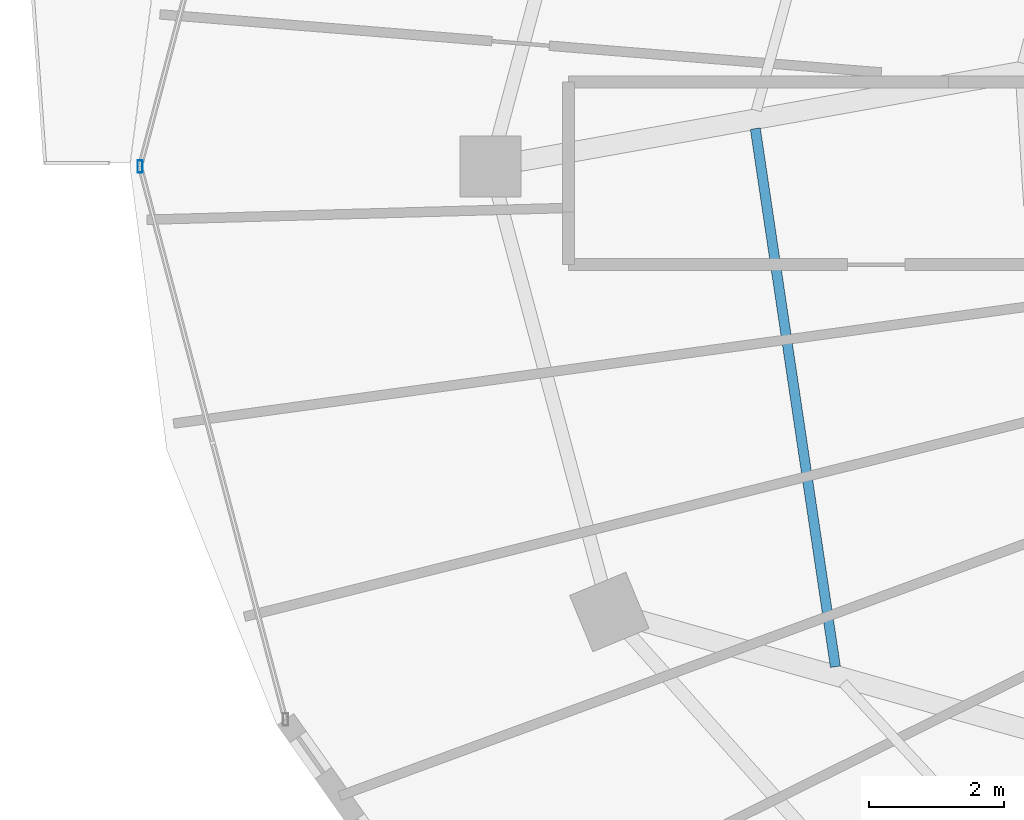
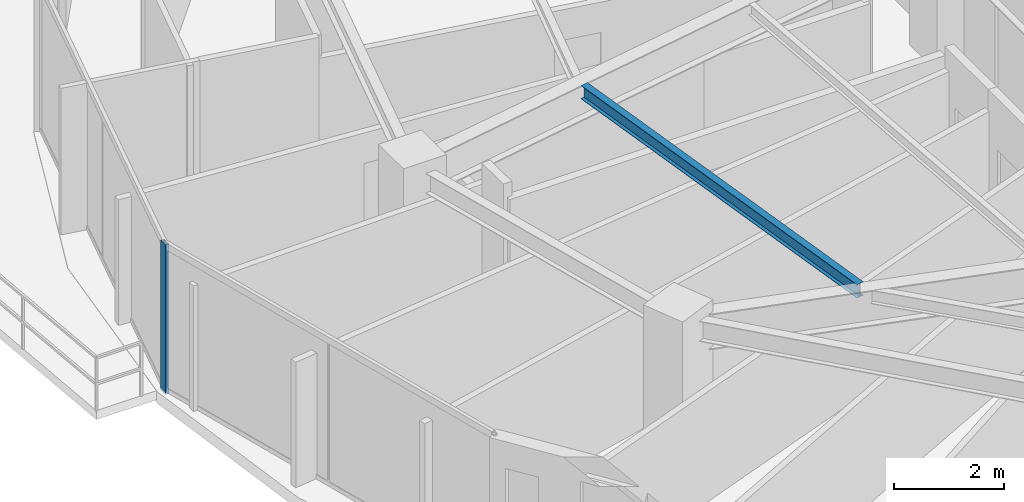
# One storey, part 7 of 31: 1 beam, 1 member, 1 element without a shape of its own.
"""IFC4 building model written with IfcOpenShell, lengths in metres."""

from ifc_helpers import new_model, si_unit, direction, frame, origin, origin_2d, place, context, subcontext, project, spatial, hollow_rectangle, i_section, extrude, material, material_profile, profile_set, type_object, element, aggregate, save


model = new_model("IFC4")

# Units and contexts
model_context = context("Model", 3, precision=1e-05, world=origin(), true_north=direction((0.0, 1.0)))
body_context = subcontext(model_context, "Body", "Model", "MODEL_VIEW")
ifc_project = project(units=[si_unit("LENGTHUNIT", "METRE"), si_unit("AREAUNIT", "SQUARE_METRE"), si_unit("VOLUMEUNIT", "CUBIC_METRE"), si_unit("PLANEANGLEUNIT", "RADIAN"), si_unit("MASSUNIT", "GRAM", prefix="KILO")], contexts=[model_context])

# Site, building, storey
site_placement = place(None, origin())
site = spatial("IfcSite", under=ifc_project, at=site_placement, CompositionType="ELEMENT")
building_placement = place(site_placement, origin())
building = spatial("IfcBuilding", under=site, at=building_placement, Name="Vorneva Point Tower", CompositionType="ELEMENT")
storey_placement = place(building_placement, frame((0.0, 0.0, 193.10009765625)))
storey = spatial("IfcBuildingStorey", under=building, at=storey_placement, Name="L52", CompositionType="ELEMENT", Elevation=193.10009765625)

# Beam
ifc_material_1 = material(Name="Steel S355", Category="steel")
ifc_material_profile_1 = material_profile(ifc_material_1, i_section(OverallWidth=0.14892578125, OverallDepth=0.298095703125, WebThickness=0.005615234375, FlangeThickness=0.008056640625, at=origin_2d()), Name="30B1")
ifc_profile_set_1 = profile_set([ifc_material_profile_1], Name="Steel S355")
beam_type = type_object("IfcBeamType", Name="BM-JST-30B1", PredefinedType="JOIST", material=ifc_profile_set_1)
beam_placement = place(storey_placement, frame((18.86181640625, 26.5595703125, 3.0908203125), z_axis=(0.147176019299, -0.989110317074, 0.0), x_axis=(0.989110317074, 0.147176019299, 0.0)))
element("IfcBeam", 1, at=beam_placement, inside=storey, type_object=beam_type, Name="L52 Secondary Floor Beam 1.09", PredefinedType="JOIST", context=body_context, shape_type="SweptSolid", body=[
    extrude(i_section(OverallWidth=0.14892578125, OverallDepth=0.298095703125, WebThickness=0.005615234375, FlangeThickness=0.008056640625, at=origin_2d()), origin(), (0.0, 0.0, 1.0), 8.038818359375),
])

# Curtain wall, member
ifc_material_2 = material(Name="Pale anodised aluminium", Category="aluminium")
curtain_wall_type = type_object("IfcCurtainWallType", Name="CW-RES-SYS", PredefinedType="NOTDEFINED", material=ifc_material_2)
curtain_wall_placement = place(storey_placement, origin())
curtain_wall = element("IfcCurtainWall", 2, at=curtain_wall_placement, inside=storey, type_object=curtain_wall_type, Name="L52 Unitised Curtain Wall CW-L52-R03", PredefinedType="NOTDEFINED")
ifc_material_profile_2 = material_profile(ifc_material_2, hollow_rectangle(XDim=0.074951171875, YDim=0.179931640625, WallThickness=0.00390625, at=origin_2d()), Name="AL-MUL 180x75x4")
ifc_profile_set_2 = profile_set([ifc_material_profile_2], Name="Pale anodised aluminium")
member_type = type_object("IfcMemberType", Name="CW-MUL-180", PredefinedType="MULLION", material=ifc_profile_set_2)
member_placement = place(storey_placement, frame((9.77001953125, 26.0, -0.0400390625), z_axis=(0.0, 0.0, 1.0), x_axis=(1.0, 0.0, 0.0)))
member = element("IfcMember", 3, at=member_placement, type_object=member_type, Name="CW-L52-R03 Mullion 02", PredefinedType="MULLION", context=body_context, shape_type="SweptSolid", body=[
    extrude(hollow_rectangle(XDim=0.074951171875, YDim=0.179931640625, WallThickness=0.00390625, at=origin_2d()), origin(), (0.0, 0.0, 1.0), 3.31005859375),
])
aggregate(curtain_wall, [member])

save(model, "model.ifc")
